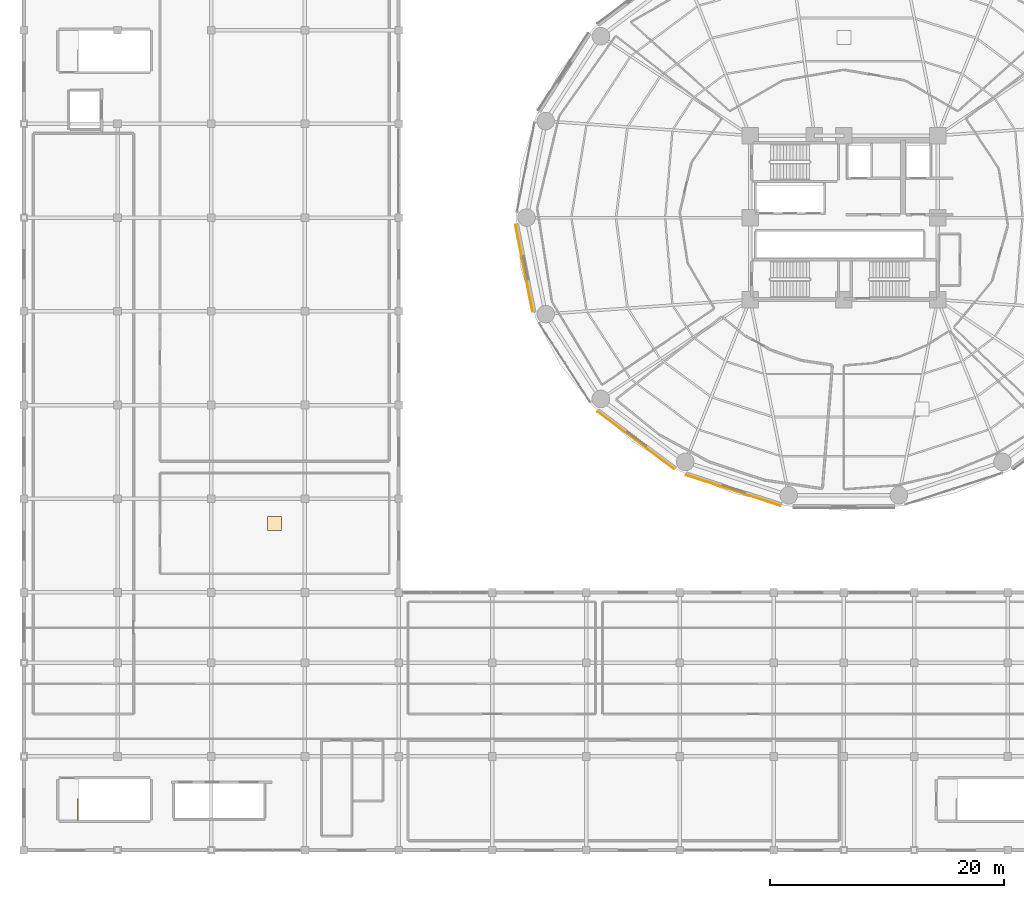
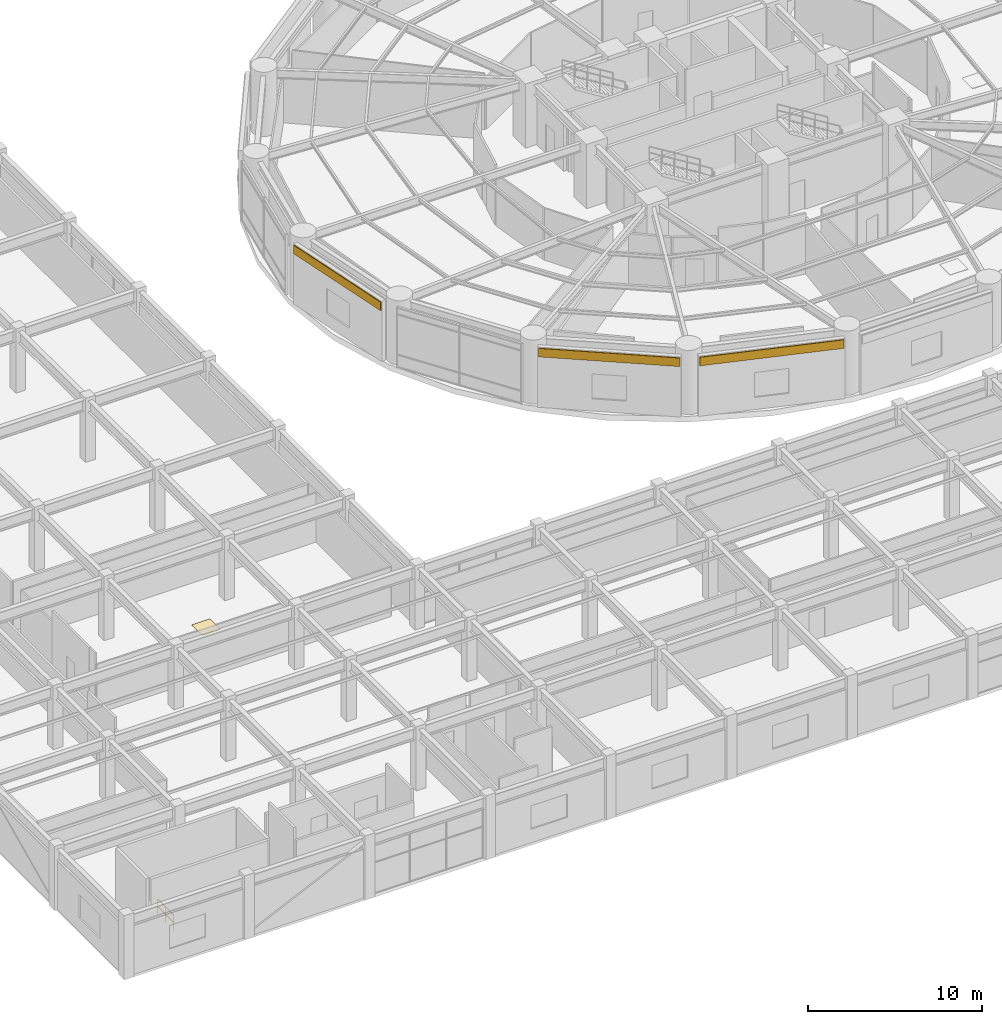
# One storey, part 42 of 46: 4 coverings, 1 railing.
"""IFC4 building model written with IfcOpenShell, lengths in metres."""

from ifc_helpers import new_model, si_unit, direction, frame, origin, origin_2d, place, context, subcontext, project, spatial, polyline, rectangle, outline, extrude, source, transform, mapped, material, layer, layer_set, type_object, element, save


model = new_model("IFC4")

# Units and contexts
model_context = context("Model", 3, precision=1e-05, world=origin(), true_north=direction((0.0, 1.0)))
body_context = subcontext(model_context, "Body", "Model", "MODEL_VIEW")
ifc_project = project(units=[si_unit("LENGTHUNIT", "METRE"), si_unit("AREAUNIT", "SQUARE_METRE"), si_unit("VOLUMEUNIT", "CUBIC_METRE"), si_unit("PLANEANGLEUNIT", "RADIAN"), si_unit("MASSUNIT", "GRAM", prefix="KILO")], contexts=[model_context])

# Site, building, storey
site_placement = place(None, origin())
site = spatial("IfcSite", under=ifc_project, at=site_placement, CompositionType="ELEMENT")
building_placement = place(site_placement, origin())
building = spatial("IfcBuilding", under=site, at=building_placement, Name="Kelanora Arch Commons", CompositionType="ELEMENT")
storey_placement = place(building_placement, frame((0.0, 0.0, 18.0)))
storey = spatial("IfcBuildingStorey", under=building, at=storey_placement, Name="L04", CompositionType="ELEMENT", Elevation=18.0)

# Railing
ifc_material_1 = material(Name="Painted steel stair well guard", Category="steel")
railing_type = type_object("IfcRailingType", Name="RAIL-STAIR-GRD", PredefinedType="GUARDRAIL", material=ifc_material_1)
railing_placement = place(storey_placement, frame((8.6298828125, 6.56005859375, 0.0)))
element("IfcRailing", 1, at=railing_placement, inside=storey, type_object=railing_type, Name="L04 ST-M1 top well guard 1", PredefinedType="GUARDRAIL", context=body_context, shape_type="SweptSolid", body=[
    extrude(outline(polyline([(0.02392578125, 0.0), (0.011962890625, 0.020751953125), (-0.011962890625, 0.020751953125), (-0.02392578125, 0.0), (-0.011962890625, -0.020751953125), (0.011962890625, -0.020751953125), (0.02392578125, 0.0)])), frame((0.0, 0.0, 1.076171875), z_axis=(0.0, 1.0, 0.0), x_axis=(-1.0, 0.0, 0.0)), (0.0, 0.0, 1.0), 1.829833984375),
    extrude(outline(polyline([(0.02392578125, 0.0), (0.011962890625, 0.020751953125), (-0.011962890625, 0.020751953125), (-0.02392578125, 0.0), (-0.011962890625, -0.020751953125), (0.011962890625, -0.020751953125), (0.02392578125, 0.0)])), frame((0.0, 0.0, 0.550048828125), z_axis=(0.0, 1.0, 0.0), x_axis=(-1.0, 0.0, 0.0)), (0.0, 0.0, 1.0), 1.829833984375),
    extrude(outline(polyline([(0.02099609375, 0.0), (0.010498046875, 0.01806640625), (-0.010498046875, 0.01806640625), (-0.02099609375, 0.0), (-0.010498046875, -0.01806640625), (0.010498046875, -0.01806640625), (0.02099609375, 0.0)])), origin(), (0.0, 0.0, 1.0), 1.052001953125),
    extrude(outline(polyline([(0.02099609375, 0.0), (0.010498046875, 0.01806640625), (-0.010498046875, 0.01806640625), (-0.02099609375, 0.0), (-0.010498046875, -0.01806640625), (0.010498046875, -0.01806640625), (0.02099609375, 0.0)])), frame((0.0, 0.9150390625, 0.0)), (0.0, 0.0, 1.0), 1.052001953125),
    extrude(outline(polyline([(0.02099609375, 0.0), (0.010498046875, 0.01806640625), (-0.010498046875, 0.01806640625), (-0.02099609375, 0.0), (-0.010498046875, -0.01806640625), (0.010498046875, -0.01806640625), (0.02099609375, 0.0)])), frame((0.0, 1.829833984375, 0.0)), (0.0, 0.0, 1.0), 1.052001953125),
])

# Coverings
ifc_material_2 = material(Name="Glazed architectural terracotta spandrel cladding", Category="masonry")
ifc_layer_1 = layer(ifc_material_2, 0.06005859375)
ifc_layer_set_1 = layer_set([ifc_layer_1], Name="Glazed architectural terracotta spandrel cladding")
covering_type_1 = type_object("IfcCoveringType", Name="COV-CLAD-TC", PredefinedType="CLADDING", material=ifc_layer_set_1)
shared_shape_1 = source(origin(), body_context, "Body", "SweptSolid", [
    extrude(rectangle(XDim=7.58251953125, YDim=0.06005859375, at=origin_2d()), origin(), (0.0, 0.0, 1.0), 0.60009765625),
])
covering_1_placement = place(storey_placement, frame((46.694580078125, 53.66748046875, 3.574951171875), z_axis=(0.0, 0.0, 1.0), x_axis=(0.19374368704, -0.981052181962, 0.0)))
element("IfcCovering", 2, at=covering_1_placement, inside=storey, type_object=covering_type_1, Name="Terracotta Spandrel Cladding L04-B09", PredefinedType="CLADDING", context=body_context, shape_type="MappedRepresentation", body=[
    mapped(shared_shape_1, transform((0.0, 0.0, 0.0), scale=1.0)),
])
shared_shape_2 = source(origin(), body_context, "Body", "SweptSolid", [
    extrude(rectangle(XDim=8.17041015625, YDim=0.06005859375, at=origin_2d()), origin(), (0.0, 0.0, 1.0), 0.60009765625),
])
covering_2_placement = place(storey_placement, frame((56.239013671875, 38.9697265625, 3.574951171875), z_axis=(0.0, 0.0, 1.0), x_axis=(0.800309643984, -0.599586919259, 0.0)))
element("IfcCovering", 3, at=covering_2_placement, inside=storey, type_object=covering_type_1, Name="Terracotta Spandrel Cladding L04-B11", PredefinedType="CLADDING", context=body_context, shape_type="MappedRepresentation", body=[
    mapped(shared_shape_2, transform((0.0, 0.0, 0.0), scale=1.0)),
])
shared_shape_3 = source(origin(), body_context, "Body", "SweptSolid", [
    extrude(rectangle(XDim=8.4736328125, YDim=0.06005859375, at=origin_2d()), origin(), (0.0, 0.0, 1.0), 0.60009765625),
])
covering_3_placement = place(storey_placement, frame((64.56396484375, 34.7001953125, 3.574951171875), z_axis=(0.0, 0.0, 1.0), x_axis=(0.95104065311, -0.309065811975, 0.0)))
element("IfcCovering", 4, at=covering_3_placement, inside=storey, type_object=covering_type_1, Name="Terracotta Spandrel Cladding L04-B12", PredefinedType="CLADDING", context=body_context, shape_type="MappedRepresentation", body=[
    mapped(shared_shape_3, transform((0.0, 0.0, 0.0), scale=1.0)),
])
ifc_material_3 = material(Name="Polished local granite terrazzo flooring", Category="masonry")
ifc_layer_2 = layer(ifc_material_3, 0.030029296875)
ifc_layer_set_2 = layer_set([ifc_layer_2], Name="Polished local granite terrazzo flooring")
covering_type_2 = type_object("IfcCoveringType", Name="COV-FLR-TER", PredefinedType="FLOORING", material=ifc_layer_set_2)
shared_shape_4 = source(origin(), body_context, "Body", "SweptSolid", [
    extrude(rectangle(XDim=1.199951171875, YDim=1.199951171875, at=origin_2d()), origin(), (0.0, 0.0, 1.0), 0.030029296875),
])
covering_4_placement = place(storey_placement, frame((25.409912109375, 31.89990234375, 0.0), z_axis=(0.0, 0.0, 1.0), x_axis=(1.0, 0.0, 0.0)))
element("IfcCovering", 5, at=covering_4_placement, inside=storey, type_object=covering_type_2, Name="Market Rooftop Conservatory Cafe Terrazzo Finish", PredefinedType="FLOORING", context=body_context, shape_type="MappedRepresentation", body=[
    mapped(shared_shape_4, transform((0.0, 0.0, 0.0), scale=1.0)),
])

save(model, "model.ifc")
